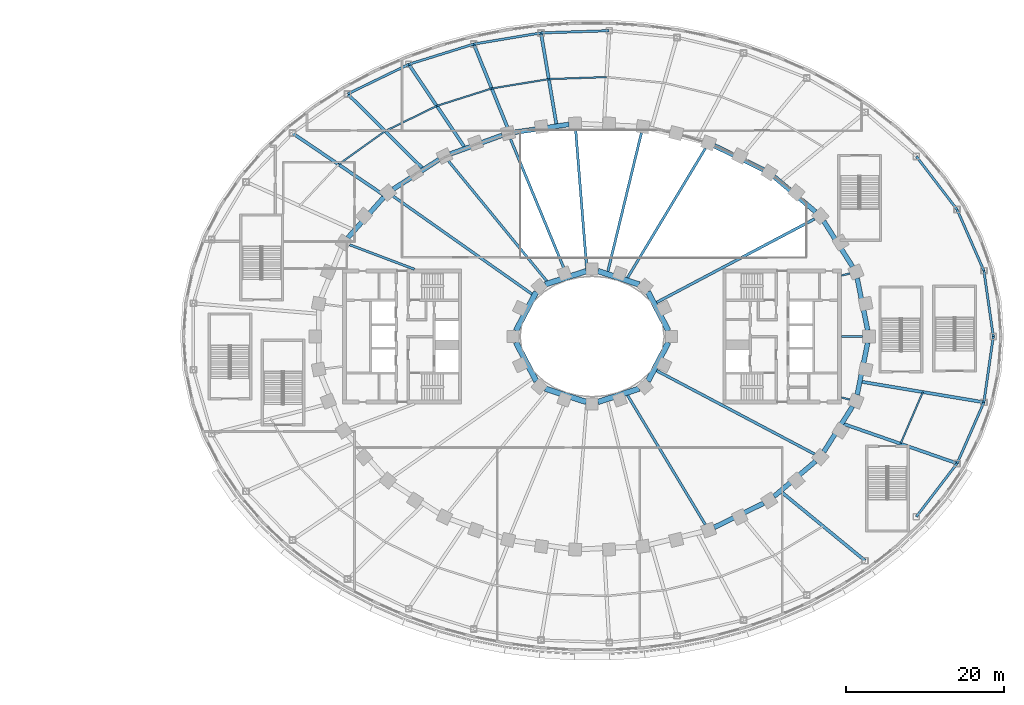
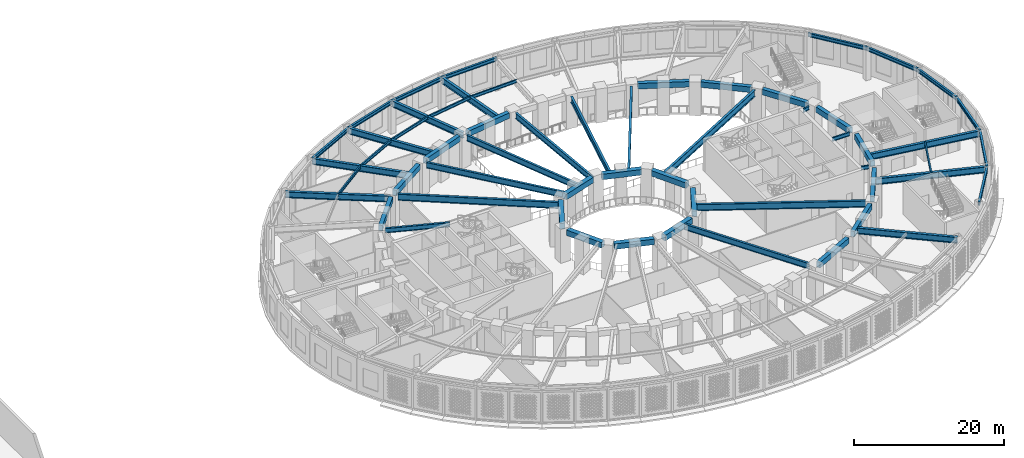
# One storey, part 6 of 69: 57 beams.
"""IFC4 building model written with IfcOpenShell, lengths in metres."""

from ifc_helpers import new_model, si_unit, direction, frame, origin, origin_2d, place, context, subcontext, project, spatial, rectangle, i_section, extrude, material, material_profile, profile_set, type_object, element, save


model = new_model("IFC4")

# Units and contexts
model_context = context("Model", 3, precision=1e-05, world=origin(), true_north=direction((0.0, 1.0)))
body_context = subcontext(model_context, "Body", "Model", "MODEL_VIEW")
ifc_project = project(units=[si_unit("LENGTHUNIT", "METRE"), si_unit("AREAUNIT", "SQUARE_METRE"), si_unit("VOLUMEUNIT", "CUBIC_METRE"), si_unit("PLANEANGLEUNIT", "RADIAN"), si_unit("MASSUNIT", "GRAM", prefix="KILO")], contexts=[model_context])

# Site, building, storey
site_placement = place(None, origin())
site = spatial("IfcSite", under=ifc_project, at=site_placement, CompositionType="ELEMENT")
building_placement = place(site_placement, origin())
building = spatial("IfcBuilding", under=site, at=building_placement, Name="Noorbagh Ring Tower", CompositionType="ELEMENT")
storey_placement = place(building_placement, frame((0.0, 0.0, 19.5)))
storey = spatial("IfcBuildingStorey", under=building, at=storey_placement, Name="L03", CompositionType="ELEMENT", Elevation=19.5)

# Beams
ifc_material_1 = material(Name="Steel S355", Category="steel")
ifc_material_profile_1 = material_profile(ifc_material_1, i_section(OverallWidth=0.300048828125, OverallDepth=0.60009765625, WebThickness=0.015380859375, FlangeThickness=0.030029296875, FilletRadius=0.027099609375, at=origin_2d()), Name="HEB600")
ifc_profile_set_1 = profile_set([ifc_material_profile_1], Name="Steel S355")
beam_type_1 = type_object("IfcBeamType", Name="GND-EDGE-BEAM-HEB600", PredefinedType="BEAM", material=ifc_profile_set_1)
beam_1_placement = place(storey_placement, frame((50.646484375, 0.0, 4.949951171875), z_axis=(-0.14132764164, 0.989962876934, 0.0), x_axis=(-0.989962876934, -0.14132764164, 0.0)))
element("IfcBeam", 1, at=beam_1_placement, inside=storey, type_object=beam_type_1, Name="L03/bm/ERP-01", PredefinedType="BEAM", context=body_context, shape_type="SweptSolid", body=[
    extrude(i_section(OverallWidth=0.300048828125, OverallDepth=0.60009765625, WebThickness=0.015380859375, FlangeThickness=0.030029296875, FilletRadius=0.027099609375, at=origin_2d()), origin(), (0.0, 0.0, 1.0), 8.388671875),
])
beam_2_placement = place(storey_placement, frame((49.4609375, 8.304443359375, 4.949951171875), z_axis=(-0.401171506371, 0.916002959862, 0.0), x_axis=(-0.916002959862, -0.401171506371, 0.0)))
element("IfcBeam", 2, at=beam_2_placement, inside=storey, type_object=beam_type_1, Name="L03/bm/ERP-02", PredefinedType="BEAM", context=body_context, shape_type="SweptSolid", body=[
    extrude(i_section(OverallWidth=0.300048828125, OverallDepth=0.60009765625, WebThickness=0.015380859375, FlangeThickness=0.030029296875, FilletRadius=0.027099609375, at=origin_2d()), origin(), (0.0, 0.0, 1.0), 8.42431640625),
])
beam_3_placement = place(storey_placement, frame((46.081298828125, 16.021240234375, 4.949951171875), z_axis=(-0.608048680374, 0.793899743227, 0.0), x_axis=(-0.793899743227, -0.608048680374, 0.0)))
element("IfcBeam", 3, at=beam_3_placement, inside=storey, type_object=beam_type_1, Name="L03/bm/ERP-03", PredefinedType="BEAM", context=body_context, shape_type="SweptSolid", body=[
    extrude(i_section(OverallWidth=0.300048828125, OverallDepth=0.60009765625, WebThickness=0.015380859375, FlangeThickness=0.030029296875, FilletRadius=0.027099609375, at=origin_2d()), origin(), (0.0, 0.0, 1.0), 8.4755859375),
])
beam_4_placement = place(storey_placement, frame((2.154541015625, 38.6142578125, 4.949951171875), z_axis=(-0.999468589483, -0.032596604688, 0.0), x_axis=(0.032596604688, -0.999468589483, 0.0)))
element("IfcBeam", 4, at=beam_4_placement, inside=storey, type_object=beam_type_1, Name="L03/bm/ERP-09", PredefinedType="BEAM", context=body_context, shape_type="SweptSolid", body=[
    extrude(i_section(OverallWidth=0.300048828125, OverallDepth=0.60009765625, WebThickness=0.015380859375, FlangeThickness=0.030029296875, FilletRadius=0.027099609375, at=origin_2d()), origin(), (0.0, 0.0, 1.0), 8.61328125),
])
beam_5_placement = place(storey_placement, frame((-6.4541015625, 38.33349609375, 4.949951171875), z_axis=(-0.986523163949, -0.163621658075, 0.0), x_axis=(0.163621658075, -0.986523163949, 0.0)))
element("IfcBeam", 5, at=beam_5_placement, inside=storey, type_object=beam_type_1, Name="L03/bm/ERP-10", PredefinedType="BEAM", context=body_context, shape_type="SweptSolid", body=[
    extrude(i_section(OverallWidth=0.300048828125, OverallDepth=0.60009765625, WebThickness=0.015380859375, FlangeThickness=0.030029296875, FilletRadius=0.027099609375, at=origin_2d()), origin(), (0.0, 0.0, 1.0), 8.60791015625),
])
beam_6_placement = place(storey_placement, frame((-14.946044921875, 36.925048828125, 4.949951171875), z_axis=(-0.954717204091, -0.297514806713, 0.0), x_axis=(0.297514806713, -0.954717204091, 0.0)))
element("IfcBeam", 6, at=beam_6_placement, inside=storey, type_object=beam_type_1, Name="L03/bm/ERP-11", PredefinedType="BEAM", context=body_context, shape_type="SweptSolid", body=[
    extrude(i_section(OverallWidth=0.300048828125, OverallDepth=0.60009765625, WebThickness=0.015380859375, FlangeThickness=0.030029296875, FilletRadius=0.027099609375, at=origin_2d()), origin(), (0.0, 0.0, 1.0), 8.595703125),
])
beam_7_placement = place(storey_placement, frame((-23.152587890625, 34.36767578125, 4.949951171875), z_axis=(-0.89994920641, -0.435994754421, 0.0), x_axis=(0.435994754421, -0.89994920641, 0.0)))
element("IfcBeam", 7, at=beam_7_placement, inside=storey, type_object=beam_type_1, Name="L03/bm/ERP-12", PredefinedType="BEAM", context=body_context, shape_type="SweptSolid", body=[
    extrude(i_section(OverallWidth=0.300048828125, OverallDepth=0.60009765625, WebThickness=0.015380859375, FlangeThickness=0.030029296875, FilletRadius=0.027099609375, at=origin_2d()), origin(), (0.0, 0.0, 1.0), 8.57470703125),
])
beam_8_placement = place(storey_placement, frame((40.927734375, -22.75, 4.949951171875), z_axis=(0.608048680374, 0.793899743227, 0.0), x_axis=(-0.793899743227, 0.608048680374, 0.0)))
element("IfcBeam", 8, at=beam_8_placement, inside=storey, type_object=beam_type_1, Name="L03/bm/ERP-31", PredefinedType="BEAM", context=body_context, shape_type="SweptSolid", body=[
    extrude(i_section(OverallWidth=0.300048828125, OverallDepth=0.60009765625, WebThickness=0.015380859375, FlangeThickness=0.030029296875, FilletRadius=0.027099609375, at=origin_2d()), origin(), (0.0, 0.0, 1.0), 8.4755859375),
])
beam_9_placement = place(storey_placement, frame((46.081298828125, -16.021240234375, 4.949951171875), z_axis=(0.401171506371, 0.916002959862, 0.0), x_axis=(-0.916002959862, 0.401171506371, 0.0)))
element("IfcBeam", 9, at=beam_9_placement, inside=storey, type_object=beam_type_1, Name="L03/bm/ERP-32", PredefinedType="BEAM", context=body_context, shape_type="SweptSolid", body=[
    extrude(i_section(OverallWidth=0.300048828125, OverallDepth=0.60009765625, WebThickness=0.015380859375, FlangeThickness=0.030029296875, FilletRadius=0.027099609375, at=origin_2d()), origin(), (0.0, 0.0, 1.0), 8.42431640625),
])
beam_10_placement = place(storey_placement, frame((49.4609375, -8.304443359375, 4.949951171875), z_axis=(0.14132764164, 0.989962876934, 0.0), x_axis=(-0.989962876934, 0.14132764164, 0.0)))
element("IfcBeam", 10, at=beam_10_placement, inside=storey, type_object=beam_type_1, Name="L03/bm/ERP-33", PredefinedType="BEAM", context=body_context, shape_type="SweptSolid", body=[
    extrude(i_section(OverallWidth=0.300048828125, OverallDepth=0.60009765625, WebThickness=0.015380859375, FlangeThickness=0.030029296875, FilletRadius=0.027099609375, at=origin_2d()), origin(), (0.0, 0.0, 1.0), 8.388671875),
])
ifc_material_2 = material(Name="Steel S355", Category="steel")
ifc_material_profile_2 = material_profile(ifc_material_2, i_section(OverallWidth=0.39990234375, OverallDepth=1.0, WebThickness=0.01611328125, FlangeThickness=0.0400390625, at=origin_2d()), Name="PG1000x400x16x40")
ifc_profile_set_2 = profile_set([ifc_material_profile_2], Name="Steel S355")
beam_type_2 = type_object("IfcBeamType", Name="GND-GIRDER-PG1000x400x16x40", PredefinedType="BEAM", material=ifc_profile_set_2)
beam_11_placement = place(storey_placement, frame((-6.4541015625, 38.33349609375, 4.75), z_axis=(0.166032765637, -0.986120236449, 0.0), x_axis=(0.986120236449, 0.166032765637, 0.0)))
element("IfcBeam", 11, at=beam_11_placement, inside=storey, type_object=beam_type_2, Name="L03/bm/GRP-10", PredefinedType="BEAM", context=body_context, shape_type="SweptSolid", body=[
    extrude(i_section(OverallWidth=0.39990234375, OverallDepth=1.0, WebThickness=0.01611328125, FlangeThickness=0.0400390625, at=origin_2d()), origin(), (0.0, 0.0, 1.0), 11.82373046875),
])
beam_12_placement = place(storey_placement, frame((-14.946044921875, 36.925048828125, 4.75), z_axis=(0.375201842514, -0.926943135998, 0.0), x_axis=(0.926943135998, 0.375201842514, 0.0)))
element("IfcBeam", 12, at=beam_12_placement, inside=storey, type_object=beam_type_2, Name="L03/bm/GRP-11", PredefinedType="BEAM", context=body_context, shape_type="SweptSolid", body=[
    extrude(i_section(OverallWidth=0.39990234375, OverallDepth=1.0, WebThickness=0.01611328125, FlangeThickness=0.0400390625, at=origin_2d()), origin(), (0.0, 0.0, 1.0), 12.094970703125),
])
beam_13_placement = place(storey_placement, frame((-23.152587890625, 34.36767578125, 4.75), z_axis=(0.558711358029, -0.829362175656, 0.0), x_axis=(0.829362175656, 0.558711358029, 0.0)))
element("IfcBeam", 13, at=beam_13_placement, inside=storey, type_object=beam_type_2, Name="L03/bm/GRP-12", PredefinedType="BEAM", context=body_context, shape_type="SweptSolid", body=[
    extrude(i_section(OverallWidth=0.39990234375, OverallDepth=1.0, WebThickness=0.01611328125, FlangeThickness=0.0400390625, at=origin_2d()), origin(), (0.0, 0.0, 1.0), 12.6630859375),
])
beam_14_placement = place(storey_placement, frame((-30.869384765625, 30.629150390625, 4.75), z_axis=(0.70986613718, -0.704336615039, 0.0), x_axis=(0.704336615039, 0.70986613718, 0.0)))
element("IfcBeam", 14, at=beam_14_placement, inside=storey, type_object=beam_type_2, Name="L03/bm/GRP-13", PredefinedType="BEAM", context=body_context, shape_type="SweptSolid", body=[
    extrude(i_section(OverallWidth=0.39990234375, OverallDepth=1.0, WebThickness=0.01611328125, FlangeThickness=0.0400390625, at=origin_2d()), origin(), (0.0, 0.0, 1.0), 13.333984375),
])
beam_15_placement = place(storey_placement, frame((-37.8330078125, 25.679931640625, 4.75), z_axis=(0.82739656341, -0.561618132593, 0.0), x_axis=(0.561618132593, 0.82739656341, 0.0)))
element("IfcBeam", 15, at=beam_15_placement, inside=storey, type_object=beam_type_2, Name="L03/bm/GRP-14", PredefinedType="BEAM", context=body_context, shape_type="SweptSolid", body=[
    extrude(i_section(OverallWidth=0.39990234375, OverallDepth=1.0, WebThickness=0.01611328125, FlangeThickness=0.0400390625, at=origin_2d()), origin(), (0.0, 0.0, 1.0), 14.06640625),
])
beam_16_placement = place(storey_placement, frame((34.46484375, -28.306884765625, 4.75), z_axis=(-0.772763025599, 0.63469465593, 0.0), x_axis=(-0.63469465593, -0.772763025599, 0.0)))
element("IfcBeam", 16, at=beam_16_placement, inside=storey, type_object=beam_type_2, Name="L03/bm/GRP-30", PredefinedType="BEAM", context=body_context, shape_type="SweptSolid", body=[
    extrude(i_section(OverallWidth=0.39990234375, OverallDepth=1.0, WebThickness=0.01611328125, FlangeThickness=0.0400390625, at=origin_2d()), origin(), (0.0, 0.0, 1.0), 13.723388671875),
])
beam_17_placement = place(storey_placement, frame((46.081298828125, -16.021240234375, 4.75), z_axis=(-0.94453989429, 0.328396693185, 0.0), x_axis=(-0.328396693185, -0.94453989429, 0.0)))
element("IfcBeam", 17, at=beam_17_placement, inside=storey, type_object=beam_type_2, Name="L03/bm/GRP-32", PredefinedType="BEAM", context=body_context, shape_type="SweptSolid", body=[
    extrude(i_section(OverallWidth=0.39990234375, OverallDepth=1.0, WebThickness=0.01611328125, FlangeThickness=0.0400390625, at=origin_2d()), origin(), (0.0, 0.0, 1.0), 15.12890625),
])
beam_18_placement = place(storey_placement, frame((49.4609375, -8.304443359375, 4.75), z_axis=(-0.986194768087, 0.165589490602, 0.0), x_axis=(-0.165589490602, -0.986194768087, 0.0)))
element("IfcBeam", 18, at=beam_18_placement, inside=storey, type_object=beam_type_2, Name="L03/bm/GRP-33", PredefinedType="BEAM", context=body_context, shape_type="SweptSolid", body=[
    extrude(i_section(OverallWidth=0.39990234375, OverallDepth=1.0, WebThickness=0.01611328125, FlangeThickness=0.0400390625, at=origin_2d()), origin(), (0.0, 0.0, 1.0), 15.62841796875),
])
ifc_material_3 = material(Name="Steel S355", Category="steel")
ifc_material_profile_3 = material_profile(ifc_material_3, i_section(OverallWidth=0.199951171875, OverallDepth=0.5, WebThickness=0.01025390625, FlangeThickness=0.01611328125, FilletRadius=0.02099609375, at=origin_2d()), Name="IPE500")
ifc_profile_set_3 = profile_set([ifc_material_profile_3], Name="Steel S355")
beam_type_3 = type_object("IfcBeamType", Name="GND-MID-BEAM-IPE500", PredefinedType="JOIST", material=ifc_profile_set_3)
beam_19_placement = place(storey_placement, frame((1.82763671875, 32.756103515625, 5.0), z_axis=(-0.999402620435, -0.034560125398, 0.0), x_axis=(0.034560125398, -0.999402620435, 0.0)))
element("IfcBeam", 19, at=beam_19_placement, inside=storey, type_object=beam_type_3, Name="L03/bm/MRP-09", PredefinedType="JOIST", context=body_context, shape_type="SweptSolid", body=[
    extrude(i_section(OverallWidth=0.199951171875, OverallDepth=0.5, WebThickness=0.01025390625, FlangeThickness=0.01611328125, FilletRadius=0.02099609375, at=origin_2d()), origin(), (0.0, 0.0, 1.0), 7.304443359375),
])
beam_20_placement = place(storey_placement, frame((-5.472412109375, 32.503662109375, 5.0), z_axis=(-0.986756598534, -0.162207938309, 0.0), x_axis=(0.162207938309, -0.986756598534, 0.0)))
element("IfcBeam", 20, at=beam_20_placement, inside=storey, type_object=beam_type_3, Name="L03/bm/MRP-10", PredefinedType="JOIST", context=body_context, shape_type="SweptSolid", body=[
    extrude(i_section(OverallWidth=0.199951171875, OverallDepth=0.5, WebThickness=0.01025390625, FlangeThickness=0.01611328125, FilletRadius=0.02099609375, at=origin_2d()), origin(), (0.0, 0.0, 1.0), 7.30126953125),
])
beam_21_placement = place(storey_placement, frame((-12.677001953125, 31.3193359375, 5.0), z_axis=(-0.9531202752, -0.302591706765, 0.0), x_axis=(0.302591706765, -0.9531202752, 0.0)))
element("IfcBeam", 21, at=beam_21_placement, inside=storey, type_object=beam_type_3, Name="L03/bm/MRP-11", PredefinedType="JOIST", context=body_context, shape_type="SweptSolid", body=[
    extrude(i_section(OverallWidth=0.199951171875, OverallDepth=0.5, WebThickness=0.01025390625, FlangeThickness=0.01611328125, FilletRadius=0.02099609375, at=origin_2d()), origin(), (0.0, 0.0, 1.0), 7.279296875),
])
beam_22_placement = place(storey_placement, frame((-19.614990234375, 29.11669921875, 5.0), z_axis=(-0.898658812704, -0.438648308271, 0.0), x_axis=(0.438648308271, -0.898658812704, 0.0)))
element("IfcBeam", 22, at=beam_22_placement, inside=storey, type_object=beam_type_3, Name="L03/bm/MRP-12", PredefinedType="JOIST", context=body_context, shape_type="SweptSolid", body=[
    extrude(i_section(OverallWidth=0.199951171875, OverallDepth=0.5, WebThickness=0.01025390625, FlangeThickness=0.01611328125, FilletRadius=0.02099609375, at=origin_2d()), origin(), (0.0, 0.0, 1.0), 7.257080078125),
])
beam_23_placement = place(storey_placement, frame((-26.13671875, 25.933349609375, 5.0), z_axis=(-0.813381743113, -0.581730298308, 0.0), x_axis=(0.581730298308, -0.813381743113, 0.0)))
element("IfcBeam", 23, at=beam_23_placement, inside=storey, type_object=beam_type_3, Name="L03/bm/MRP-13", PredefinedType="JOIST", context=body_context, shape_type="SweptSolid", body=[
    extrude(i_section(OverallWidth=0.199951171875, OverallDepth=0.5, WebThickness=0.01025390625, FlangeThickness=0.01611328125, FilletRadius=0.02099609375, at=origin_2d()), origin(), (0.0, 0.0, 1.0), 7.2255859375),
])
beam_24_placement = place(storey_placement, frame((38.936279296875, -13.537109375, 5.0), z_axis=(0.396441936779, 0.918059796943, 0.0), x_axis=(-0.918059796943, 0.396441936779, 0.0)))
element("IfcBeam", 24, at=beam_24_placement, inside=storey, type_object=beam_type_3, Name="L03/bm/MRP-32", PredefinedType="JOIST", context=body_context, shape_type="SweptSolid", body=[
    extrude(i_section(OverallWidth=0.199951171875, OverallDepth=0.5, WebThickness=0.01025390625, FlangeThickness=0.01611328125, FilletRadius=0.02099609375, at=origin_2d()), origin(), (0.0, 0.0, 1.0), 7.109130859375),
])
ifc_material_4 = material(Name="Steel S355", Category="steel")
ifc_material_profile_4 = material_profile(ifc_material_4, i_section(OverallWidth=0.219970703125, OverallDepth=0.60009765625, WebThickness=0.011962890625, FlangeThickness=0.01904296875, FilletRadius=0.02392578125, at=origin_2d()), Name="IPE600")
ifc_profile_set_4 = profile_set([ifc_material_profile_4], Name="Steel S355")
beam_type_4 = type_object("IfcBeamType", Name="STR-RAD-IPE600", PredefinedType="BEAM", material=ifc_profile_set_4)
beam_25_placement = place(storey_placement, frame((34.164794921875, 0.0, 4.949951171875), z_axis=(-1.0, 0.0, 0.0), x_axis=(0.0, -1.0, 0.0)))
element("IfcBeam", 25, at=beam_25_placement, inside=storey, type_object=beam_type_4, Name="L03/bm/RD01", PredefinedType="BEAM", context=body_context, shape_type="SweptSolid", body=[
    extrude(i_section(OverallWidth=0.219970703125, OverallDepth=0.60009765625, WebThickness=0.011962890625, FlangeThickness=0.01904296875, FilletRadius=0.02392578125, at=origin_2d()), origin(), (0.0, 0.0, 1.0), 2.684814453125),
])
for number, where, z_axis, x_axis, name in (
    (26, (32.538818359375, 7.9619140625, 4.949951171875), (-0.971330054052, -0.237734991315, 0.0), (0.237734991315, -0.971330054052, 0.0), "L03/bm/RD03"),
    (27, (32.538818359375, -7.9619140625, 4.949951171875), (-0.971330054052, 0.237734991315, 0.0), (-0.237734991315, -0.971330054052, 0.0), "L03/bm/RD45"),
):
    element("IfcBeam", number, at=place(storey_placement, frame(where, z_axis=z_axis, x_axis=x_axis)), inside=storey, type_object=beam_type_4, Name=name, PredefinedType="BEAM", context=body_context, shape_type="SweptSolid", body=[
        extrude(i_section(OverallWidth=0.219970703125, OverallDepth=0.60009765625, WebThickness=0.011962890625, FlangeThickness=0.01904296875, FilletRadius=0.02392578125, at=origin_2d()), origin(), (0.0, 0.0, 1.0), 1.089599609375),
    ])
ifc_material_5 = material(Name="Steel S355", Category="steel")
ifc_material_profile_5 = material_profile(ifc_material_5, i_section(OverallWidth=0.35009765625, OverallDepth=1.050048828125, WebThickness=0.01806640625, FlangeThickness=0.033935546875, at=origin_2d()), Name="PG1050x350x18x34")
ifc_profile_set_5 = profile_set([ifc_material_profile_5], Name="Steel S355")
beam_type_5 = type_object("IfcBeamType", Name="STR-RAD-PG1050x350x18x34", PredefinedType="BEAM", material=ifc_profile_set_5)
beam_26_placement = place(storey_placement, frame((28.108642578125, 14.855224609375, 4.72509765625), z_axis=(-0.884121906441, -0.467256304988, 0.0), x_axis=(0.467256304988, -0.884121906441, 0.0)))
element("IfcBeam", 28, at=beam_26_placement, inside=storey, type_object=beam_type_5, Name="L03/bm/RD05", PredefinedType="BEAM", context=body_context, shape_type="SweptSolid", body=[
    extrude(i_section(OverallWidth=0.35009765625, OverallDepth=1.050048828125, WebThickness=0.01806640625, FlangeThickness=0.033935546875, at=origin_2d()), origin(), (0.0, 0.0, 1.0), 22.601806640625),
])
beam_27_placement = place(storey_placement, frame((-25.12353515625, 17.715576171875, 4.72509765625), z_axis=(0.817253259362, -0.576278673961, 0.0), x_axis=(0.576278673961, 0.817253259362, 0.0)))
element("IfcBeam", 29, at=beam_27_placement, inside=storey, type_object=beam_type_5, Name="L03/bm/RD19", PredefinedType="BEAM", context=body_context, shape_type="SweptSolid", body=[
    extrude(i_section(OverallWidth=0.35009765625, OverallDepth=1.050048828125, WebThickness=0.01806640625, FlangeThickness=0.033935546875, at=origin_2d()), origin(), (0.0, 0.0, 1.0), 21.471435546875),
])
beam_28_placement = place(storey_placement, frame((28.108642578125, -14.855224609375, 4.72509765625), z_axis=(-0.884121906441, 0.467256304988, 0.0), x_axis=(-0.467256304988, -0.884121906441, 0.0)))
element("IfcBeam", 30, at=beam_28_placement, inside=storey, type_object=beam_type_5, Name="L03/bm/RD43", PredefinedType="BEAM", context=body_context, shape_type="SweptSolid", body=[
    extrude(i_section(OverallWidth=0.35009765625, OverallDepth=1.050048828125, WebThickness=0.01806640625, FlangeThickness=0.033935546875, at=origin_2d()), origin(), (0.0, 0.0, 1.0), 22.601806640625),
])
ifc_material_6 = material(Name="Steel S355", Category="steel")
ifc_material_profile_6 = material_profile(ifc_material_6, i_section(OverallWidth=0.300048828125, OverallDepth=0.75, WebThickness=0.013916015625, FlangeThickness=0.02587890625, at=origin_2d()), Name="PG750x300x14x26")
ifc_profile_set_6 = profile_set([ifc_material_profile_6], Name="Steel S355")
beam_type_6 = type_object("IfcBeamType", Name="STR-RAD-PG750x300x14x26", PredefinedType="BEAM", material=ifc_profile_set_6)
beam_29_placement = place(storey_placement, frame((-30.619873046875, 11.5888671875, 4.875), z_axis=(0.935258038122, -0.353966668102, 0.0), x_axis=(0.353966668102, 0.935258038122, 0.0)))
element("IfcBeam", 31, at=beam_29_placement, inside=storey, type_object=beam_type_6, Name="L03/bm/RD21", PredefinedType="BEAM", context=body_context, shape_type="SweptSolid", body=[
    extrude(i_section(OverallWidth=0.300048828125, OverallDepth=0.75, WebThickness=0.013916015625, FlangeThickness=0.02587890625, at=origin_2d()), origin(), (0.0, 0.0, 1.0), 8.746337890625),
])
ifc_material_7 = material(Name="Steel S355", Category="steel")
ifc_material_profile_7 = material_profile(ifc_material_7, i_section(OverallWidth=0.320068359375, OverallDepth=0.949951171875, WebThickness=0.01611328125, FlangeThickness=0.030029296875, at=origin_2d()), Name="PG950x320x16x30")
ifc_profile_set_7 = profile_set([ifc_material_profile_7], Name="Steel S355")
beam_type_7 = type_object("IfcBeamType", Name="STR-RAD-PG950x320x16x30", PredefinedType="BEAM", material=ifc_profile_set_7)
beam_30_placement = place(storey_placement, frame((14.29931640625, 23.759033203125, 4.77490234375), z_axis=(-0.515655762899, -0.856795853275, 0.0), x_axis=(0.856795853275, -0.515655762899, 0.0)))
element("IfcBeam", 32, at=beam_30_placement, inside=storey, type_object=beam_type_7, Name="L03/bm/RD09", PredefinedType="BEAM", context=body_context, shape_type="SweptSolid", body=[
    extrude(i_section(OverallWidth=0.320068359375, OverallDepth=0.949951171875, WebThickness=0.01611328125, FlangeThickness=0.030029296875, at=origin_2d()), origin(), (0.0, 0.0, 1.0), 19.0888671875),
])
beam_31_placement = place(storey_placement, frame((6.22509765625, 25.729248046875, 4.77490234375), z_axis=(-0.235155855534, -0.971957675832, 0.0), x_axis=(0.971957675832, -0.235155855534, 0.0)))
element("IfcBeam", 33, at=beam_31_placement, inside=storey, type_object=beam_type_7, Name="L03/bm/RD11", PredefinedType="BEAM", context=body_context, shape_type="SweptSolid", body=[
    extrude(i_section(OverallWidth=0.320068359375, OverallDepth=0.949951171875, WebThickness=0.01611328125, FlangeThickness=0.030029296875, at=origin_2d()), origin(), (0.0, 0.0, 1.0), 18.029541015625),
])
beam_32_placement = place(storey_placement, frame((-2.081298828125, 26.1201171875, 4.77490234375), z_axis=(0.079425808882, -0.996840780107, 0.0), x_axis=(0.996840780107, 0.079425808882, 0.0)))
element("IfcBeam", 34, at=beam_32_placement, inside=storey, type_object=beam_type_7, Name="L03/bm/RD13", PredefinedType="BEAM", context=body_context, shape_type="SweptSolid", body=[
    extrude(i_section(OverallWidth=0.320068359375, OverallDepth=0.949951171875, WebThickness=0.01611328125, FlangeThickness=0.030029296875, at=origin_2d()), origin(), (0.0, 0.0, 1.0), 18.227783203125),
])
beam_33_placement = place(storey_placement, frame((-10.311767578125, 24.9443359375, 4.77490234375), z_axis=(0.382034392842, -0.924148106467, 0.0), x_axis=(0.924148106467, 0.382034392842, 0.0)))
element("IfcBeam", 35, at=beam_33_placement, inside=storey, type_object=beam_type_7, Name="L03/bm/RD15", PredefinedType="BEAM", context=body_context, shape_type="SweptSolid", body=[
    extrude(i_section(OverallWidth=0.320068359375, OverallDepth=0.949951171875, WebThickness=0.01611328125, FlangeThickness=0.030029296875, at=origin_2d()), origin(), (0.0, 0.0, 1.0), 18.548583984375),
])
beam_34_placement = place(storey_placement, frame((-18.138427734375, 22.164794921875, 4.77490234375), z_axis=(0.633308995725, -0.773899034715, 0.0), x_axis=(0.773899034715, 0.633308995725, 0.0)))
element("IfcBeam", 36, at=beam_34_placement, inside=storey, type_object=beam_type_7, Name="L03/bm/RD17", PredefinedType="BEAM", context=body_context, shape_type="SweptSolid", body=[
    extrude(i_section(OverallWidth=0.320068359375, OverallDepth=0.949951171875, WebThickness=0.01611328125, FlangeThickness=0.030029296875, at=origin_2d()), origin(), (0.0, 0.0, 1.0), 19.603759765625),
])
beam_35_placement = place(storey_placement, frame((14.29931640625, -23.759033203125, 4.77490234375), z_axis=(-0.515655762899, 0.856795853275, 0.0), x_axis=(-0.856795853275, -0.515655762899, 0.0)))
element("IfcBeam", 37, at=beam_35_placement, inside=storey, type_object=beam_type_7, Name="L03/bm/RD39", PredefinedType="BEAM", context=body_context, shape_type="SweptSolid", body=[
    extrude(i_section(OverallWidth=0.320068359375, OverallDepth=0.949951171875, WebThickness=0.01611328125, FlangeThickness=0.030029296875, at=origin_2d()), origin(), (0.0, 0.0, 1.0), 19.0888671875),
])
ifc_material_8 = material(Name="Concrete C40/50", Category="concrete")
ifc_material_profile_8 = material_profile(ifc_material_8, rectangle(XDim=0.699951171875, YDim=0.89990234375, at=origin_2d()), Name="RC700x900")
ifc_profile_set_8 = profile_set([ifc_material_profile_8], Name="Concrete C40/50")
beam_type_8 = type_object("IfcBeamType", Name="STR-RB-RC700x900-C40-50", PredefinedType="BEAM", material=ifc_profile_set_8)
beam_36_placement = place(storey_placement, frame((9.623779296875, 0.732177734375, 4.800048828125), z_axis=(-0.464916752751, 0.885354399668, 0.0), x_axis=(-0.885354399668, -0.464916752751, 0.0)))
element("IfcBeam", 38, at=beam_36_placement, inside=storey, type_object=beam_type_8, Name="L03/bm/RG01", PredefinedType="BEAM", context=body_context, shape_type="SweptSolid", body=[
    extrude(rectangle(XDim=0.699951171875, YDim=0.89990234375, at=origin_2d()), origin(), (0.0, 0.0, 1.0), 5.543701171875),
])
for number, where, z_axis, x_axis, name in (
    (39, (5.92431640625, 6.579833984375, 4.800048828125), (-0.951144414124, 0.308746341648, 0.0), (-0.308746341648, -0.951144414124, 0.0), "L03/bm/RG03"),
    (40, (-0.73095703125, 8.265625, 4.800048828125), (-0.951144414124, -0.308746341648, 0.0), (0.308746341648, -0.951144414124, 0.0), "L03/bm/RG05"),
):
    element("IfcBeam", number, at=place(storey_placement, frame(where, z_axis=z_axis, x_axis=x_axis)), inside=storey, type_object=beam_type_8, Name=name, PredefinedType="BEAM", context=body_context, shape_type="SweptSolid", body=[
        extrude(rectangle(XDim=0.699951171875, YDim=0.89990234375, at=origin_2d()), origin(), (0.0, 0.0, 1.0), 5.460205078125),
    ])
for number, where, z_axis, x_axis, name in (
    (41, (-7.04638671875, 5.640380859375, 4.800048828125), (-0.464916752751, -0.885354399668, 0.0), (0.885354399668, -0.464916752751, 0.0), "L03/bm/RG07"),
    (42, (-9.623779296875, -0.732177734375, 4.800048828125), (0.464916752751, -0.885354399668, 0.0), (0.885354399668, 0.464916752751, 0.0), "L03/bm/RG09"),
):
    element("IfcBeam", number, at=place(storey_placement, frame(where, z_axis=z_axis, x_axis=x_axis)), inside=storey, type_object=beam_type_8, Name=name, PredefinedType="BEAM", context=body_context, shape_type="SweptSolid", body=[
        extrude(rectangle(XDim=0.699951171875, YDim=0.89990234375, at=origin_2d()), origin(), (0.0, 0.0, 1.0), 5.543701171875),
    ])
for number, where, z_axis, x_axis, name in (
    (43, (-5.92431640625, -6.579833984375, 4.800048828125), (0.951144414124, -0.308746341648, 0.0), (0.308746341648, 0.951144414124, 0.0), "L03/bm/RG11"),
    (44, (0.73095703125, -8.265625, 4.800048828125), (0.951144414124, 0.308746341648, 0.0), (-0.308746341648, 0.951144414124, 0.0), "L03/bm/RG13"),
):
    element("IfcBeam", number, at=place(storey_placement, frame(where, z_axis=z_axis, x_axis=x_axis)), inside=storey, type_object=beam_type_8, Name=name, PredefinedType="BEAM", context=body_context, shape_type="SweptSolid", body=[
        extrude(rectangle(XDim=0.699951171875, YDim=0.89990234375, at=origin_2d()), origin(), (0.0, 0.0, 1.0), 5.460205078125),
    ])
beam_37_placement = place(storey_placement, frame((7.04638671875, -5.640380859375, 4.800048828125), z_axis=(0.464916752751, 0.885354399668, 0.0), x_axis=(-0.885354399668, 0.464916752751, 0.0)))
element("IfcBeam", 45, at=beam_37_placement, inside=storey, type_object=beam_type_8, Name="L03/bm/RG15", PredefinedType="BEAM", context=body_context, shape_type="SweptSolid", body=[
    extrude(rectangle(XDim=0.699951171875, YDim=0.89990234375, at=origin_2d()), origin(), (0.0, 0.0, 1.0), 5.543701171875),
])
ifc_material_9 = material(Name="Concrete C40/50", Category="concrete")
ifc_material_profile_9 = material_profile(ifc_material_9, rectangle(XDim=0.60009765625, YDim=0.89990234375, at=origin_2d()), Name="RC600x900")
ifc_profile_set_9 = profile_set([ifc_material_profile_9], Name="Concrete C40/50")
beam_type_9 = type_object("IfcBeamType", Name="STR-SB-RC600x900-C40-50", PredefinedType="BEAM", material=ifc_profile_set_9)
beam_38_placement = place(storey_placement, frame((34.78759765625, 0.7802734375, 4.800048828125), z_axis=(-0.197212569156, 0.980360751238, 0.0), x_axis=(-0.980360751238, -0.197212569156, 0.0)))
element("IfcBeam", 46, at=beam_38_placement, inside=storey, type_object=beam_type_9, Name="L03/bm/SP01", PredefinedType="BEAM", context=body_context, shape_type="SweptSolid", body=[
    extrude(rectangle(XDim=0.60009765625, YDim=0.89990234375, at=origin_2d()), origin(), (0.0, 0.0, 1.0), 6.72216796875),
])
beam_39_placement = place(storey_placement, frame((32.881103515625, 8.81884765625, 4.800048828125), z_axis=(-0.535204111644, 0.844722770428, 0.0), x_axis=(-0.844722770428, -0.535204111644, 0.0)))
element("IfcBeam", 47, at=beam_39_placement, inside=storey, type_object=beam_type_9, Name="L03/bm/SP03", PredefinedType="BEAM", context=body_context, shape_type="SweptSolid", body=[
    extrude(rectangle(XDim=0.60009765625, YDim=0.89990234375, at=origin_2d()), origin(), (0.0, 0.0, 1.0), 6.800048828125),
])
beam_40_placement = place(storey_placement, frame((28.21728515625, 15.739990234375, 4.800048828125), z_axis=(-0.763029833708, 0.646363266957, 0.0), x_axis=(-0.646363266957, -0.763029833708, 0.0)))
element("IfcBeam", 48, at=beam_40_placement, inside=storey, type_object=beam_type_9, Name="L03/bm/SP05", PredefinedType="BEAM", context=body_context, shape_type="SweptSolid", body=[
    extrude(rectangle(XDim=0.60009765625, YDim=0.89990234375, at=origin_2d()), origin(), (0.0, 0.0, 1.0), 6.886962890625),
])
beam_41_placement = place(storey_placement, frame((21.65625, 21.044921875, 4.800048828125), z_axis=(-0.898397301801, 0.439183661031, 0.0), x_axis=(-0.439183661031, -0.898397301801, 0.0)))
element("IfcBeam", 49, at=beam_41_placement, inside=storey, type_object=beam_type_9, Name="L03/bm/SP07", PredefinedType="BEAM", context=body_context, shape_type="SweptSolid", body=[
    extrude(rectangle(XDim=0.60009765625, YDim=0.89990234375, at=origin_2d()), origin(), (0.0, 0.0, 1.0), 6.947509765625),
])
beam_42_placement = place(storey_placement, frame((-2.9189453125, 26.785888671875, 4.800048828125), z_axis=(-0.989714845194, -0.143054273623, 0.0), x_axis=(0.143054273623, -0.989714845194, 0.0)))
element("IfcBeam", 50, at=beam_42_placement, inside=storey, type_object=beam_type_9, Name="L03/bm/SP13", PredefinedType="BEAM", context=body_context, shape_type="SweptSolid", body=[
    extrude(rectangle(XDim=0.60009765625, YDim=0.89990234375, at=origin_2d()), origin(), (0.0, 0.0, 1.0), 6.990234375),
])
beam_43_placement = place(storey_placement, frame((-11.351318359375, 25.408203125, 4.800048828125), z_axis=(-0.941030272182, -0.338322371175, 0.0), x_axis=(0.338322371175, -0.941030272182, 0.0)))
element("IfcBeam", 51, at=beam_43_placement, inside=storey, type_object=beam_type_9, Name="L03/bm/SP15", PredefinedType="BEAM", context=body_context, shape_type="SweptSolid", body=[
    extrude(rectangle(XDim=0.60009765625, YDim=0.89990234375, at=origin_2d()), origin(), (0.0, 0.0, 1.0), 6.96728515625),
])
beam_44_placement = place(storey_placement, frame((-19.306396484375, 22.359375, 4.800048828125), z_axis=(-0.840249989986, -0.542199183261, 0.0), x_axis=(0.542199183261, -0.840249989986, 0.0)))
element("IfcBeam", 52, at=beam_44_placement, inside=storey, type_object=beam_type_9, Name="L03/bm/SP17", PredefinedType="BEAM", context=body_context, shape_type="SweptSolid", body=[
    extrude(rectangle(XDim=0.60009765625, YDim=0.89990234375, at=origin_2d()), origin(), (0.0, 0.0, 1.0), 6.9208984375),
])
beam_45_placement = place(storey_placement, frame((-26.30517578125, 17.58984375, 4.800048828125), z_axis=(-0.662635440904, -0.748942102206, 0.0), x_axis=(0.748942102206, -0.662635440904, 0.0)))
element("IfcBeam", 53, at=beam_45_placement, inside=storey, type_object=beam_type_9, Name="L03/bm/SP19", PredefinedType="BEAM", context=body_context, shape_type="SweptSolid", body=[
    extrude(rectangle(XDim=0.60009765625, YDim=0.89990234375, at=origin_2d()), origin(), (0.0, 0.0, 1.0), 6.845703125),
])
beam_46_placement = place(storey_placement, frame((15.41455078125, -24.09619140625, 4.800048828125), z_axis=(0.898397301801, 0.439183661031, 0.0), x_axis=(-0.439183661031, 0.898397301801, 0.0)))
element("IfcBeam", 54, at=beam_46_placement, inside=storey, type_object=beam_type_9, Name="L03/bm/SP39", PredefinedType="BEAM", context=body_context, shape_type="SweptSolid", body=[
    extrude(rectangle(XDim=0.60009765625, YDim=0.89990234375, at=origin_2d()), origin(), (0.0, 0.0, 1.0), 6.947509765625),
])
beam_47_placement = place(storey_placement, frame((22.96240234375, -20.19140625, 4.800048828125), z_axis=(0.763029833708, 0.646363266957, 0.0), x_axis=(-0.646363266957, 0.763029833708, 0.0)))
element("IfcBeam", 55, at=beam_47_placement, inside=storey, type_object=beam_type_9, Name="L03/bm/SP41", PredefinedType="BEAM", context=body_context, shape_type="SweptSolid", body=[
    extrude(rectangle(XDim=0.60009765625, YDim=0.89990234375, at=origin_2d()), origin(), (0.0, 0.0, 1.0), 6.886962890625),
])
beam_48_placement = place(storey_placement, frame((29.24169921875, -14.56298828125, 4.800048828125), z_axis=(0.535204111644, 0.844722770428, 0.0), x_axis=(-0.844722770428, 0.535204111644, 0.0)))
element("IfcBeam", 56, at=beam_48_placement, inside=storey, type_object=beam_type_9, Name="L03/bm/SP43", PredefinedType="BEAM", context=body_context, shape_type="SweptSolid", body=[
    extrude(rectangle(XDim=0.60009765625, YDim=0.89990234375, at=origin_2d()), origin(), (0.0, 0.0, 1.0), 6.800048828125),
])
beam_49_placement = place(storey_placement, frame((33.4619140625, -7.370361328125, 4.800048828125), z_axis=(0.197212569156, 0.980360751238, 0.0), x_axis=(-0.980360751238, 0.197212569156, 0.0)))
element("IfcBeam", 57, at=beam_49_placement, inside=storey, type_object=beam_type_9, Name="L03/bm/SP45", PredefinedType="BEAM", context=body_context, shape_type="SweptSolid", body=[
    extrude(rectangle(XDim=0.60009765625, YDim=0.89990234375, at=origin_2d()), origin(), (0.0, 0.0, 1.0), 6.72216796875),
])

save(model, "model.ifc")
